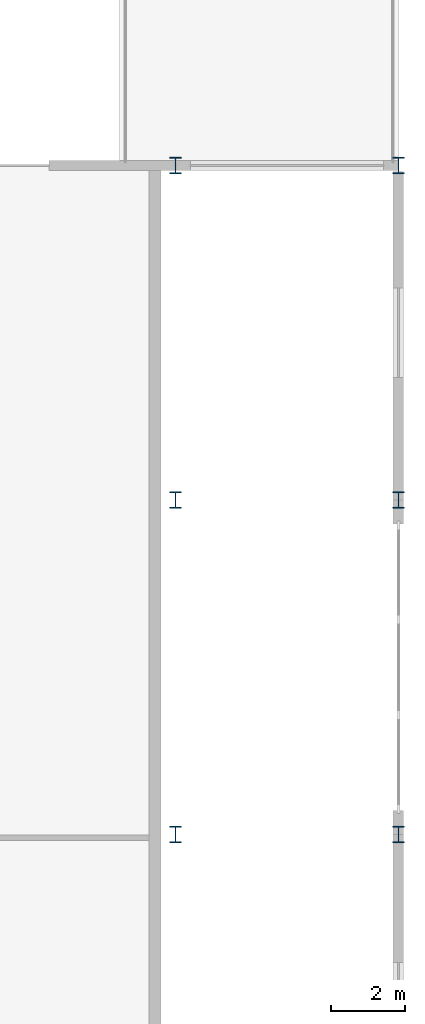
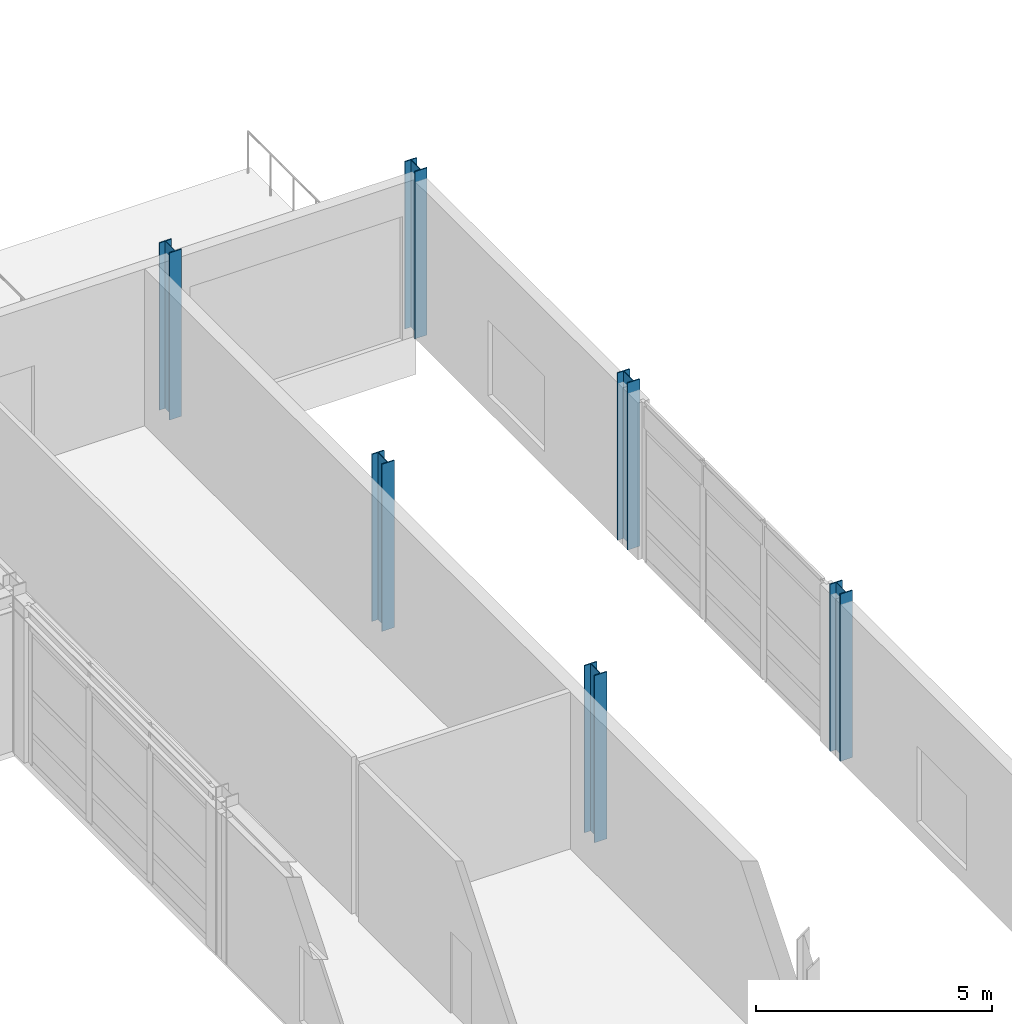
# One storey, part 17 of 72: 6 columns.
"""IFC4 building model written with IfcOpenShell, lengths in metres."""

from ifc_helpers import new_model, si_unit, direction, frame, origin, origin_2d, place, context, subcontext, project, spatial, i_section, extrude, material, material_profile, profile_set, type_object, element, save


model = new_model("IFC4")

# Units and contexts
model_context = context("Model", 3, precision=1e-05, world=origin(), true_north=direction((0.0, 1.0)))
body_context = subcontext(model_context, "Body", "Model", "MODEL_VIEW")
ifc_project = project(units=[si_unit("LENGTHUNIT", "METRE"), si_unit("AREAUNIT", "SQUARE_METRE"), si_unit("VOLUMEUNIT", "CUBIC_METRE"), si_unit("PLANEANGLEUNIT", "RADIAN"), si_unit("MASSUNIT", "GRAM", prefix="KILO")], contexts=[model_context])

# Site, building, storey
site_placement = place(None, origin())
site = spatial("IfcSite", under=ifc_project, at=site_placement, CompositionType="ELEMENT")
building_placement = place(site_placement, origin())
building = spatial("IfcBuilding", under=site, at=building_placement, Name="Palais des Congres Ocreval", CompositionType="ELEMENT")
storey_placement = place(building_placement, origin())
storey = spatial("IfcBuildingStorey", under=building, at=storey_placement, Name="L00", CompositionType="ELEMENT", Elevation=0.0)

# Columns
ifc_material = material(Name="Steel S355", Category="steel")
ifc_material_profile = material_profile(ifc_material, i_section(OverallWidth=0.300048828125, OverallDepth=0.449951171875, WebThickness=0.013916015625, FlangeThickness=0.02587890625, at=origin_2d()), Name="HEB 450")
ifc_profile_set = profile_set([ifc_material_profile], Name="Steel S355")
column_type = type_object("IfcColumnType", Name="Column HEB 450 Steel S355", PredefinedType="COLUMN", material=ifc_profile_set)
for number, where, z_axis, x_axis, name in (
    (1, (162.0, 27.0, 0.0), (0.0, 0.0, 1.0), (1.0, 0.0, 0.0), "Column C09 L00"),
    (2, (162.0, 36.0, 0.0), (0.0, 0.0, 1.0), (1.0, 0.0, 0.0), "Column C09 L00"),
    (3, (162.0, 45.0, 0.0), (0.0, 0.0, 1.0), (1.0, 0.0, 0.0), "Column C09 L00"),
    (4, (168.0, 27.0, 0.0), (0.0, 0.0, 1.0), (1.0, 0.0, 0.0), "Column C09 L00"),
    (5, (168.0, 36.0, 0.0), (0.0, 0.0, 1.0), (1.0, 0.0, 0.0), "Column C09 L00"),
    (6, (168.0, 45.0, 0.0), (0.0, 0.0, 1.0), (1.0, 0.0, 0.0), "Column C09 L00"),
):
    element("IfcColumn", number, at=place(storey_placement, frame(where, z_axis=z_axis, x_axis=x_axis)), inside=storey, type_object=column_type, Name=name, PredefinedType="COLUMN", context=body_context, shape_type="SweptSolid", body=[
        extrude(i_section(OverallWidth=0.300048828125, OverallDepth=0.449951171875, WebThickness=0.013916015625, FlangeThickness=0.02587890625, at=origin_2d()), origin(), (0.0, 0.0, 1.0), 4.320068359375),
    ])

save(model, "model.ifc")
